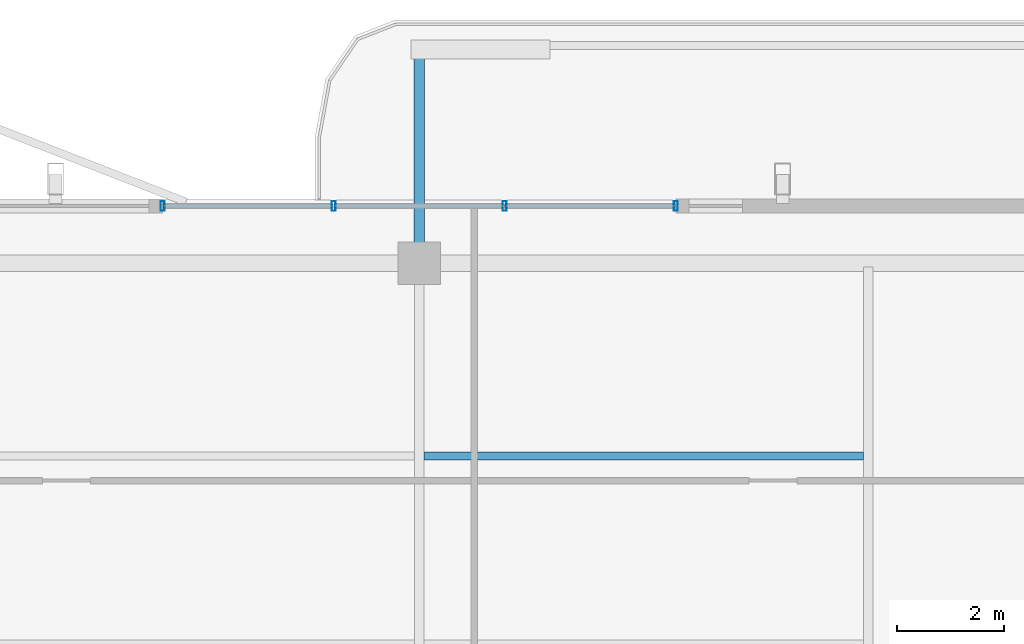
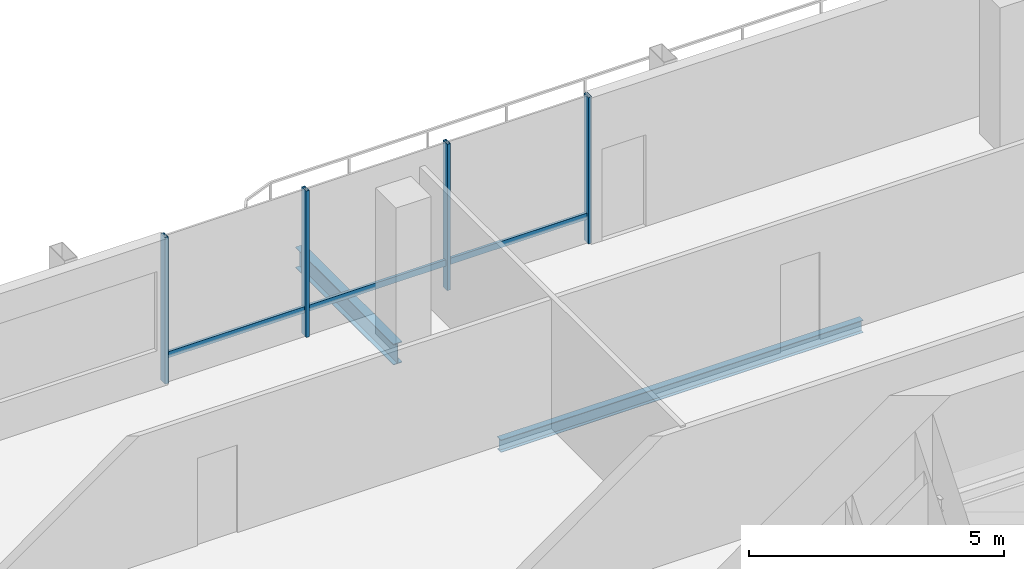
# One storey, part 13 of 22: 7 members, 2 beams, 1 element without a shape of its own.
"""IFC4 building model written with IfcOpenShell, lengths in metres."""

from ifc_helpers import new_model, si_unit, direction, frame, origin, origin_2d, place, context, subcontext, project, spatial, hollow_rectangle, i_section, extrude, material, layer, layer_set, material_profile, profile_set, type_object, element, aggregate, save


model = new_model("IFC4")

# Units and contexts
model_context = context("Model", 3, precision=1e-05, world=origin(), true_north=direction((0.0, 1.0)))
body_context = subcontext(model_context, "Body", "Model", "MODEL_VIEW")
ifc_project = project(units=[si_unit("LENGTHUNIT", "METRE"), si_unit("AREAUNIT", "SQUARE_METRE"), si_unit("VOLUMEUNIT", "CUBIC_METRE"), si_unit("PLANEANGLEUNIT", "RADIAN"), si_unit("MASSUNIT", "GRAM", prefix="KILO")], contexts=[model_context])

# Site, building, storey
site_placement = place(None, origin())
site = spatial("IfcSite", under=ifc_project, at=site_placement, CompositionType="ELEMENT")
building_placement = place(site_placement, origin())
building = spatial("IfcBuilding", under=site, at=building_placement, Name="Belovzor Exchange Tower", CompositionType="ELEMENT")
storey_placement = place(building_placement, frame((0.0, 0.0, 348.0)))
storey = spatial("IfcBuildingStorey", under=building, at=storey_placement, Name="L87", CompositionType="ELEMENT", Elevation=348.0)

# Beams
ifc_material_1 = material(Name="Steel S355", Category="steel")
ifc_material_profile_1 = material_profile(ifc_material_1, i_section(OverallWidth=0.199951171875, OverallDepth=0.5, WebThickness=0.01025390625, FlangeThickness=0.01611328125, at=origin_2d()))
ifc_profile_set_1 = profile_set([ifc_material_profile_1], Name="Steel S355")
beam_type_1 = type_object("IfcBeamType", Name="Planted Balcony Cantilever Beam IPE 500", PredefinedType="BEAM", material=ifc_profile_set_1)
beam_1_placement = place(storey_placement, frame((28.800048828125, 49.1201171875, -0.489990234375), z_axis=(0.0, 1.0, 0.0), x_axis=(-1.0, 0.0, 0.0)))
element("IfcBeam", 1, at=beam_1_placement, inside=storey, type_object=beam_type_1, Name="BC-500 Planted Balcony Cantilever Beam IPE 500", PredefinedType="BEAM", context=body_context, shape_type="SweptSolid", body=[
    extrude(i_section(OverallWidth=0.199951171875, OverallDepth=0.5, WebThickness=0.01025390625, FlangeThickness=0.01611328125, at=origin_2d()), origin(), (0.0, 0.0, 1.0), 3.849853515625),
])
ifc_material_2 = material(Name="Steel S355", Category="steel")
ifc_material_profile_2 = material_profile(ifc_material_2, i_section(OverallWidth=0.14990234375, OverallDepth=0.300048828125, WebThickness=0.007080078125, FlangeThickness=0.0107421875, at=origin_2d()))
ifc_profile_set_2 = profile_set([ifc_material_profile_2], Name="Steel S355")
beam_type_2 = type_object("IfcBeamType", Name="Secondary Trim Floor Joist IPE 300", PredefinedType="BEAM", material=ifc_profile_set_2)
beam_2_placement = place(storey_placement, frame((28.889892578125, 45.297119140625, -0.389892578125), z_axis=(1.0, 0.0, 0.0), x_axis=(0.0, 1.0, 0.0)))
element("IfcBeam", 2, at=beam_2_placement, inside=storey, type_object=beam_type_2, Name="FJ-300 Secondary Trim Floor Joist IPE 300", PredefinedType="BEAM", context=body_context, shape_type="SweptSolid", body=[
    extrude(i_section(OverallWidth=0.14990234375, OverallDepth=0.300048828125, WebThickness=0.007080078125, FlangeThickness=0.0107421875, at=origin_2d()), origin(), (0.0, 0.0, 1.0), 8.22021484375),
])

# Curtain wall, members
ifc_material_3 = material(Name="Anodised Aluminium Framing", Category="aluminium")
ifc_layer = layer(ifc_material_3, 0.179931640625)
ifc_layer_set = layer_set([ifc_layer], Name="Anodised Aluminium Framing")
curtain_wall_type = type_object("IfcCurtainWallType", Name="Recessed Loggia Low-Iron Triple-Glazed Curtain Wall", PredefinedType="NOTDEFINED", material=ifc_layer_set)
curtain_wall_placement = place(storey_placement, origin())
curtain_wall = element("IfcCurtainWall", 3, at=curtain_wall_placement, inside=storey, type_object=curtain_wall_type, Name="CW3 Recessed Loggia Low-Iron Triple-Glazed Curtain Wall L87", PredefinedType="NOTDEFINED")
ifc_material_4 = material(Name="Steel S355", Category="steel")
ifc_material_profile_3 = material_profile(ifc_material_4, hollow_rectangle(XDim=0.074951171875, YDim=0.179931640625, WallThickness=0.0048828125, at=origin_2d()))
ifc_profile_set_3 = profile_set([ifc_material_profile_3], Name="Steel S355")
member_type_1 = type_object("IfcMemberType", Name="Thermally Broken Curtain Wall Mullion 180x75", PredefinedType="MULLION", material=ifc_profile_set_3)
member_1_placement = place(storey_placement, frame((24.0, 49.969970703125, 0.0), z_axis=(0.0, 0.0, 1.0), x_axis=(1.0, 0.0, 0.0)))
member_1 = element("IfcMember", 4, at=member_1_placement, type_object=member_type_1, Name="CW-M180 Curtain Wall Mullion 1", PredefinedType="MULLION", context=body_context, shape_type="SweptSolid", body=[
    extrude(hollow_rectangle(XDim=0.074951171875, YDim=0.179931640625, WallThickness=0.0048828125, at=origin_2d()), origin(), (0.0, 0.0, 1.0), 3.510009765625),
])
member_2_placement = place(storey_placement, frame((27.199951171875, 49.969970703125, 0.0), z_axis=(0.0, 0.0, 1.0), x_axis=(1.0, 0.0, 0.0)))
member_2 = element("IfcMember", 5, at=member_2_placement, type_object=member_type_1, Name="CW-M180 Curtain Wall Mullion 2", PredefinedType="MULLION", context=body_context, shape_type="SweptSolid", body=[
    extrude(hollow_rectangle(XDim=0.074951171875, YDim=0.179931640625, WallThickness=0.0048828125, at=origin_2d()), origin(), (0.0, 0.0, 1.0), 3.510009765625),
])
member_3_placement = place(storey_placement, frame((30.39990234375, 49.969970703125, 0.0), z_axis=(0.0, 0.0, 1.0), x_axis=(1.0, 0.0, 0.0)))
member_3 = element("IfcMember", 6, at=member_3_placement, type_object=member_type_1, Name="CW-M180 Curtain Wall Mullion 3", PredefinedType="MULLION", context=body_context, shape_type="SweptSolid", body=[
    extrude(hollow_rectangle(XDim=0.074951171875, YDim=0.179931640625, WallThickness=0.0048828125, at=origin_2d()), origin(), (0.0, 0.0, 1.0), 3.510009765625),
])
member_4_placement = place(storey_placement, frame((33.60009765625, 49.969970703125, 0.0), z_axis=(0.0, 0.0, 1.0), x_axis=(1.0, 0.0, 0.0)))
member_4 = element("IfcMember", 7, at=member_4_placement, type_object=member_type_1, Name="CW-M180 Curtain Wall Mullion 4", PredefinedType="MULLION", context=body_context, shape_type="SweptSolid", body=[
    extrude(hollow_rectangle(XDim=0.074951171875, YDim=0.179931640625, WallThickness=0.0048828125, at=origin_2d()), origin(), (0.0, 0.0, 1.0), 3.510009765625),
])
ifc_material_5 = material(Name="Steel S355", Category="steel")
ifc_material_profile_4 = material_profile(ifc_material_5, hollow_rectangle(XDim=0.06005859375, YDim=0.14990234375, WallThickness=0.00390625, at=origin_2d()))
ifc_profile_set_4 = profile_set([ifc_material_profile_4], Name="Steel S355")
member_type_2 = type_object("IfcMemberType", Name="Thermally Broken Curtain Wall Transom 150x60", PredefinedType="USERDEFINED", material=ifc_profile_set_4)
member_5_placement = place(storey_placement, frame((24.008056640625, 49.969970703125, 0.632080078125), z_axis=(1.0, 0.0, 0.0), x_axis=(0.0, 1.0, 0.0)))
member_5 = element("IfcMember", 8, at=member_5_placement, type_object=member_type_2, Name="CW-T150 Curtain Wall Transom 1", ObjectType="TRANSOM", PredefinedType="USERDEFINED", context=body_context, shape_type="SweptSolid", body=[
    extrude(hollow_rectangle(XDim=0.06005859375, YDim=0.14990234375, WallThickness=0.00390625, at=origin_2d()), origin(), (0.0, 0.0, 1.0), 3.183837890625),
])
member_6_placement = place(storey_placement, frame((27.2080078125, 49.969970703125, 0.632080078125), z_axis=(1.0, 0.0, 0.0), x_axis=(0.0, 1.0, 0.0)))
member_6 = element("IfcMember", 9, at=member_6_placement, type_object=member_type_2, Name="CW-T150 Curtain Wall Transom 2", ObjectType="TRANSOM", PredefinedType="USERDEFINED", context=body_context, shape_type="SweptSolid", body=[
    extrude(hollow_rectangle(XDim=0.06005859375, YDim=0.14990234375, WallThickness=0.00390625, at=origin_2d()), origin(), (0.0, 0.0, 1.0), 3.18408203125),
])
member_7_placement = place(storey_placement, frame((30.407958984375, 49.969970703125, 0.632080078125), z_axis=(1.0, 0.0, 0.0), x_axis=(0.0, 1.0, 0.0)))
member_7 = element("IfcMember", 10, at=member_7_placement, type_object=member_type_2, Name="CW-T150 Curtain Wall Transom 3", ObjectType="TRANSOM", PredefinedType="USERDEFINED", context=body_context, shape_type="SweptSolid", body=[
    extrude(hollow_rectangle(XDim=0.06005859375, YDim=0.14990234375, WallThickness=0.00390625, at=origin_2d()), origin(), (0.0, 0.0, 1.0), 3.18408203125),
])
aggregate(curtain_wall, [member_1, member_2, member_3, member_4, member_5, member_6, member_7])

save(model, "model.ifc")
